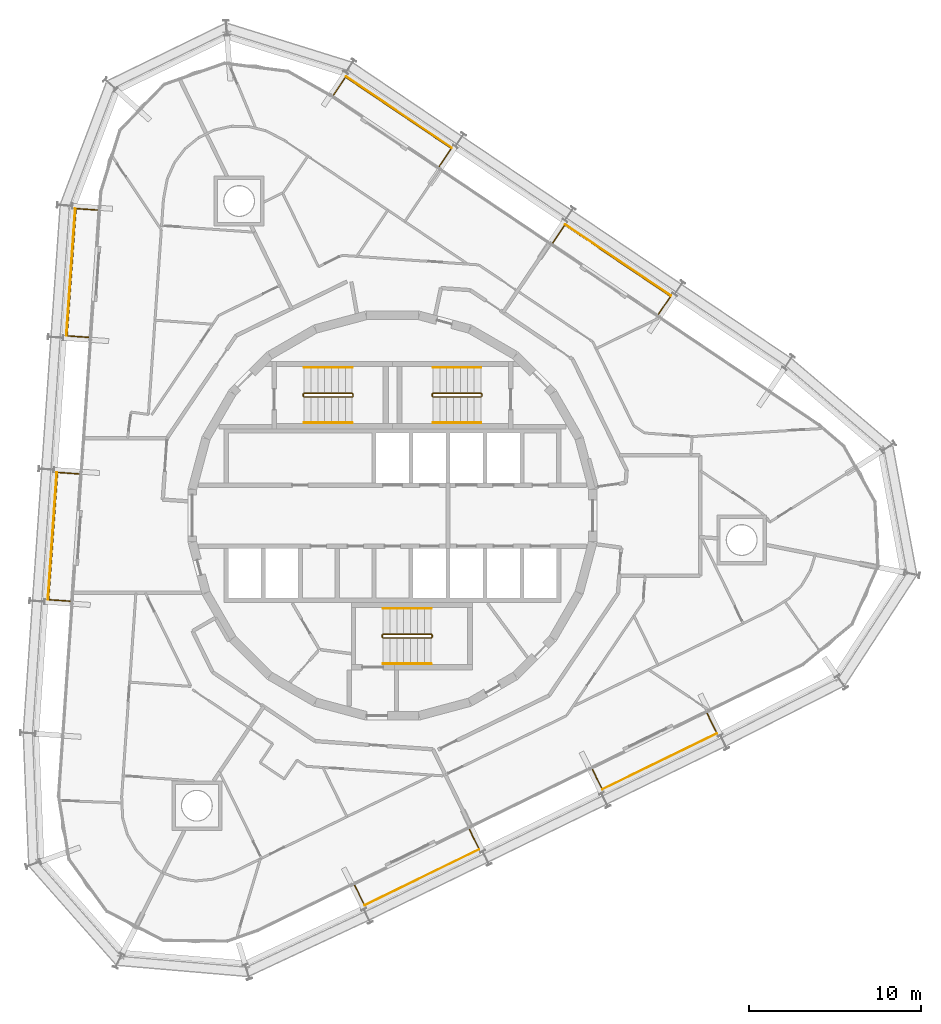
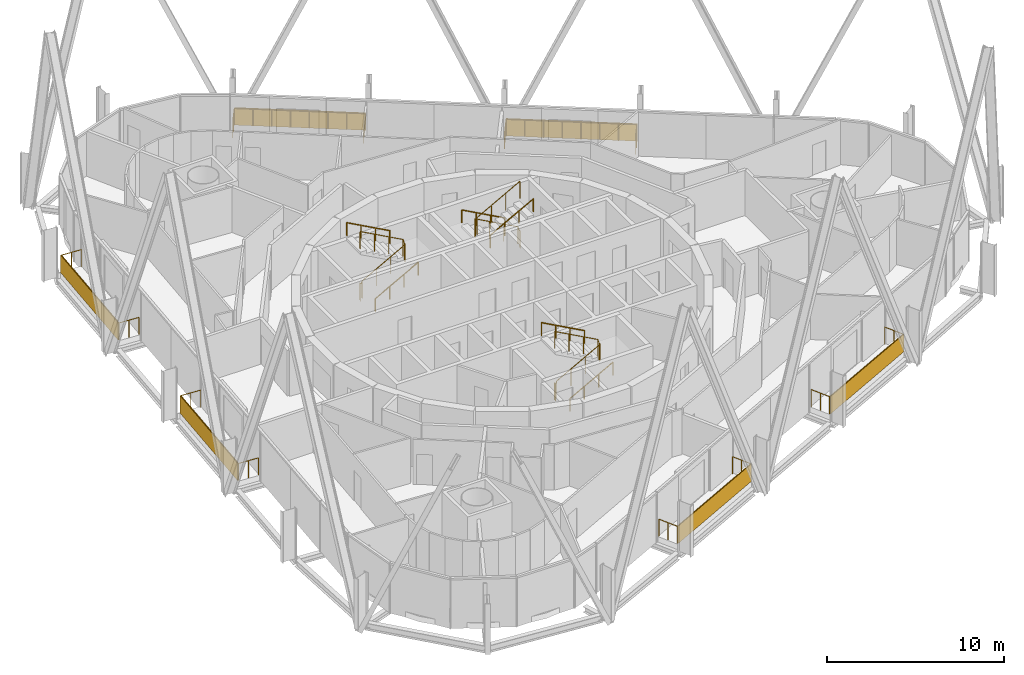
# One storey, part 18 of 18: 15 railings, 6 shading devices.
"""IFC4 building model written with IfcOpenShell, lengths in metres."""

from ifc_helpers import new_model, si_unit, direction, frame, origin, origin_2d, place, context, subcontext, project, spatial, rectangle, circle, extrude, material, layer, layer_set, type_object, element, save


model = new_model("IFC4")

# Units and contexts
model_context = context("Model", 3, precision=1e-05, world=origin(), true_north=direction((0.0, 1.0)))
body_context = subcontext(model_context, "Body", "Model", "MODEL_VIEW")
ifc_project = project(units=[si_unit("LENGTHUNIT", "METRE"), si_unit("AREAUNIT", "SQUARE_METRE"), si_unit("VOLUMEUNIT", "CUBIC_METRE"), si_unit("PLANEANGLEUNIT", "RADIAN"), si_unit("MASSUNIT", "GRAM", prefix="KILO")], contexts=[model_context])

# Site, building, storey
site_placement = place(None, origin())
site = spatial("IfcSite", under=ifc_project, at=site_placement, CompositionType="ELEMENT")
building_placement = place(site_placement, origin())
building = spatial("IfcBuilding", under=site, at=building_placement, Name="Spindle Arch Residences", CompositionType="ELEMENT")
storey_placement = place(building_placement, frame((0.0, 0.0, 202.39990234375)))
storey = spatial("IfcBuildingStorey", under=building, at=storey_placement, Name="L51", CompositionType="ELEMENT", Elevation=202.39990234375)

# Railings
ifc_material_1 = material(Name="Bronze anodised aluminium guard with glass infill", Category="aluminium")
railing_type_1 = type_object("IfcRailingType", Name="Balcony guard 1200", PredefinedType="GUARDRAIL", material=ifc_material_1)
railing_1_placement = place(storey_placement, frame((11.632080078125, -14.76611328125, 0.0)))
element("IfcRailing", 1, at=railing_1_placement, inside=storey, type_object=railing_type_1, Name="Guard L51 bay 1", PredefinedType="GUARDRAIL", context=body_context, shape_type="SweptSolid", body=[
    extrude(circle(Radius=0.02392578125, at=origin_2d()), frame((0.0, 0.0, 1.17578125), z_axis=(0.438362050684, -0.898798482709, 0.0), x_axis=(0.898798482709, 0.438362050684, 0.0)), (0.0, 0.0, 1.0), 1.249755859375),
    extrude(circle(Radius=0.02392578125, at=origin_2d()), frame((0.5478515625, -1.123291015625, 1.17578125), z_axis=(0.898809845561, 0.438338752021, 0.0), x_axis=(-0.438338752021, 0.898809845561, 0.0)), (0.0, 0.0, 1.0), 7.423828125),
    extrude(circle(Radius=0.02392578125, at=origin_2d()), frame((7.220458984375, 2.130859375, 1.17578125), z_axis=(-0.438442870742, 0.898759060647, 0.0), x_axis=(-0.898759060647, -0.438442870742, 0.0)), (0.0, 0.0, 1.0), 1.25),
    extrude(circle(Radius=0.02099609375, at=origin_2d()), origin(), (0.0, 0.0, 1.0), 1.15185546875),
    extrude(circle(Radius=0.02099609375, at=origin_2d()), frame((0.27392578125, -0.5615234375, 0.0)), (0.0, 0.0, 1.0), 1.15185546875),
    extrude(circle(Radius=0.02099609375, at=origin_2d()), frame((0.5478515625, -1.123291015625, 0.0)), (0.0, 0.0, 1.0), 1.15185546875),
    extrude(circle(Radius=0.02099609375, at=origin_2d()), frame((1.5009765625, -0.658447265625, 0.0)), (0.0, 0.0, 1.0), 1.15185546875),
    extrude(circle(Radius=0.02099609375, at=origin_2d()), frame((2.454345703125, -0.193603515625, 0.0)), (0.0, 0.0, 1.0), 1.15185546875),
    extrude(circle(Radius=0.02099609375, at=origin_2d()), frame((3.407470703125, 0.271240234375, 0.0)), (0.0, 0.0, 1.0), 1.15185546875),
    extrude(circle(Radius=0.02099609375, at=origin_2d()), frame((4.36083984375, 0.736328125, 0.0)), (0.0, 0.0, 1.0), 1.15185546875),
    extrude(circle(Radius=0.02099609375, at=origin_2d()), frame((5.31396484375, 1.201171875, 0.0)), (0.0, 0.0, 1.0), 1.15185546875),
    extrude(circle(Radius=0.02099609375, at=origin_2d()), frame((6.267333984375, 1.666015625, 0.0)), (0.0, 0.0, 1.0), 1.15185546875),
    extrude(circle(Radius=0.02099609375, at=origin_2d()), frame((7.220458984375, 2.130859375, 0.0)), (0.0, 0.0, 1.0), 1.15185546875),
    extrude(circle(Radius=0.02099609375, at=origin_2d()), frame((6.9462890625, 2.692626953125, 0.0)), (0.0, 0.0, 1.0), 1.15185546875),
    extrude(circle(Radius=0.02099609375, at=origin_2d()), frame((6.67236328125, 3.25439453125, 0.0)), (0.0, 0.0, 1.0), 1.15185546875),
])
railing_2_placement = place(storey_placement, frame((15.47607421875, 11.72021484375, 0.0)))
element("IfcRailing", 2, at=railing_2_placement, inside=storey, type_object=railing_type_1, Name="Guard L51 bay 7", PredefinedType="GUARDRAIL", context=body_context, shape_type="SweptSolid", body=[
    extrude(circle(Radius=0.02392578125, at=origin_2d()), frame((0.0, 0.0, 1.17578125), z_axis=(0.559288375298, 0.828973167996, 0.0), x_axis=(-0.828973167996, 0.559288375298, 0.0)), (0.0, 0.0, 1.0), 1.250244140625),
    extrude(circle(Radius=0.02392578125, at=origin_2d()), frame((0.69921875, 1.036376953125, 1.17578125), z_axis=(-0.829032773144, 0.559200018824, 0.0), x_axis=(-0.559200018824, -0.829032773144, 0.0)), (0.0, 0.0, 1.0), 7.423828125),
    extrude(circle(Radius=0.02392578125, at=origin_2d()), frame((-5.455322265625, 5.187744140625, 1.17578125), z_axis=(-0.559154156027, -0.829063706718, 0.0), x_axis=(0.829063706718, -0.559154156027, 0.0)), (0.0, 0.0, 1.0), 1.25),
    extrude(circle(Radius=0.02099609375, at=origin_2d()), origin(), (0.0, 0.0, 1.0), 1.15185546875),
    extrude(circle(Radius=0.02099609375, at=origin_2d()), frame((0.349609375, 0.51806640625, 0.0)), (0.0, 0.0, 1.0), 1.15185546875),
    extrude(circle(Radius=0.02099609375, at=origin_2d()), frame((0.69921875, 1.036376953125, 0.0)), (0.0, 0.0, 1.0), 1.15185546875),
    extrude(circle(Radius=0.02099609375, at=origin_2d()), frame((-0.179931640625, 1.62939453125, 0.0)), (0.0, 0.0, 1.0), 1.15185546875),
    extrude(circle(Radius=0.02099609375, at=origin_2d()), frame((-1.059326171875, 2.222412109375, 0.0)), (0.0, 0.0, 1.0), 1.15185546875),
    extrude(circle(Radius=0.02099609375, at=origin_2d()), frame((-1.9384765625, 2.8154296875, 0.0)), (0.0, 0.0, 1.0), 1.15185546875),
    extrude(circle(Radius=0.02099609375, at=origin_2d()), frame((-2.817626953125, 3.40869140625, 0.0)), (0.0, 0.0, 1.0), 1.15185546875),
    extrude(circle(Radius=0.02099609375, at=origin_2d()), frame((-3.69677734375, 4.001708984375, 0.0)), (0.0, 0.0, 1.0), 1.15185546875),
    extrude(circle(Radius=0.02099609375, at=origin_2d()), frame((-4.576171875, 4.5947265625, 0.0)), (0.0, 0.0, 1.0), 1.15185546875),
    extrude(circle(Radius=0.02099609375, at=origin_2d()), frame((-5.455322265625, 5.187744140625, 0.0)), (0.0, 0.0, 1.0), 1.15185546875),
    extrude(circle(Radius=0.02099609375, at=origin_2d()), frame((-5.8046875, 4.66943359375, 0.0)), (0.0, 0.0, 1.0), 1.15185546875),
    extrude(circle(Radius=0.02099609375, at=origin_2d()), frame((-6.154296875, 4.1513671875, 0.0)), (0.0, 0.0, 1.0), 1.15185546875),
])
railing_3_placement = place(storey_placement, frame((2.719482421875, 20.324951171875, 0.0)))
element("IfcRailing", 3, at=railing_3_placement, inside=storey, type_object=railing_type_1, Name="Guard L51 bay 9", PredefinedType="GUARDRAIL", context=body_context, shape_type="SweptSolid", body=[
    extrude(circle(Radius=0.02392578125, at=origin_2d()), frame((0.0, 0.0, 1.17578125), z_axis=(0.559244705098, 0.829002629562, 0.0), x_axis=(-0.829002629562, 0.559244705098, 0.0)), (0.0, 0.0, 1.0), 1.249755859375),
    extrude(circle(Radius=0.02392578125, at=origin_2d()), frame((0.698974609375, 1.0361328125, 1.17578125), z_axis=(-0.829032773144, 0.559200018824, 0.0), x_axis=(-0.559200018824, -0.829032773144, 0.0)), (0.0, 0.0, 1.0), 7.423828125),
    extrude(circle(Radius=0.02392578125, at=origin_2d()), frame((-5.45556640625, 5.1875, 1.17578125), z_axis=(-0.559154156027, -0.829063706718, 0.0), x_axis=(0.829063706718, -0.559154156027, 0.0)), (0.0, 0.0, 1.0), 1.25),
    extrude(circle(Radius=0.02099609375, at=origin_2d()), origin(), (0.0, 0.0, 1.0), 1.15185546875),
    extrude(circle(Radius=0.02099609375, at=origin_2d()), frame((0.349609375, 0.51806640625, 0.0)), (0.0, 0.0, 1.0), 1.15185546875),
    extrude(circle(Radius=0.02099609375, at=origin_2d()), frame((0.698974609375, 1.0361328125, 0.0)), (0.0, 0.0, 1.0), 1.15185546875),
    extrude(circle(Radius=0.02099609375, at=origin_2d()), frame((-0.18017578125, 1.629150390625, 0.0)), (0.0, 0.0, 1.0), 1.15185546875),
    extrude(circle(Radius=0.02099609375, at=origin_2d()), frame((-1.0595703125, 2.22216796875, 0.0)), (0.0, 0.0, 1.0), 1.15185546875),
    extrude(circle(Radius=0.02099609375, at=origin_2d()), frame((-1.938720703125, 2.815185546875, 0.0)), (0.0, 0.0, 1.0), 1.15185546875),
    extrude(circle(Radius=0.02099609375, at=origin_2d()), frame((-2.81787109375, 3.408447265625, 0.0)), (0.0, 0.0, 1.0), 1.15185546875),
    extrude(circle(Radius=0.02099609375, at=origin_2d()), frame((-3.697021484375, 4.00146484375, 0.0)), (0.0, 0.0, 1.0), 1.15185546875),
    extrude(circle(Radius=0.02099609375, at=origin_2d()), frame((-4.576416015625, 4.594482421875, 0.0)), (0.0, 0.0, 1.0), 1.15185546875),
    extrude(circle(Radius=0.02099609375, at=origin_2d()), frame((-5.45556640625, 5.1875, 0.0)), (0.0, 0.0, 1.0), 1.15185546875),
    extrude(circle(Radius=0.02099609375, at=origin_2d()), frame((-5.80517578125, 4.66943359375, 0.0)), (0.0, 0.0, 1.0), 1.15185546875),
    extrude(circle(Radius=0.02099609375, at=origin_2d()), frame((-6.154541015625, 4.151123046875, 0.0)), (0.0, 0.0, 1.0), 1.15185546875),
])
railing_4_placement = place(storey_placement, frame((-17.172607421875, 17.77587890625, 0.0)))
element("IfcRailing", 4, at=railing_4_placement, inside=storey, type_object=railing_type_1, Name="Guard L51 bay 13", PredefinedType="GUARDRAIL", context=body_context, shape_type="SweptSolid", body=[
    extrude(circle(Radius=0.02392578125, at=origin_2d()), frame((0.0, 0.0, 1.17578125), z_axis=(-0.997566579437, 0.069720295391, 0.0), x_axis=(-0.069720295391, -0.997566579437, 0.0)), (0.0, 0.0, 1.0), 1.25),
    extrude(circle(Radius=0.02392578125, at=origin_2d()), frame((-1.2470703125, 0.087158203125, 1.17578125), z_axis=(-0.069753528744, -0.99756425619, 0.0), x_axis=(0.99756425619, -0.069753528744, 0.0)), (0.0, 0.0, 1.0), 7.423583984375),
    extrude(circle(Radius=0.02392578125, at=origin_2d()), frame((-1.764892578125, -7.318359375, 1.17578125), z_axis=(0.997566579437, -0.069720295391, 0.0), x_axis=(0.069720295391, 0.997566579437, 0.0)), (0.0, 0.0, 1.0), 1.25),
    extrude(circle(Radius=0.02099609375, at=origin_2d()), origin(), (0.0, 0.0, 1.0), 1.15185546875),
    extrude(circle(Radius=0.02099609375, at=origin_2d()), frame((-0.62353515625, 0.04345703125, 0.0)), (0.0, 0.0, 1.0), 1.15185546875),
    extrude(circle(Radius=0.02099609375, at=origin_2d()), frame((-1.2470703125, 0.087158203125, 0.0)), (0.0, 0.0, 1.0), 1.15185546875),
    extrude(circle(Radius=0.02099609375, at=origin_2d()), frame((-1.321044921875, -0.970703125, 0.0)), (0.0, 0.0, 1.0), 1.15185546875),
    extrude(circle(Radius=0.02099609375, at=origin_2d()), frame((-1.39501953125, -2.02880859375, 0.0)), (0.0, 0.0, 1.0), 1.15185546875),
    extrude(circle(Radius=0.02099609375, at=origin_2d()), frame((-1.468994140625, -3.086669921875, 0.0)), (0.0, 0.0, 1.0), 1.15185546875),
    extrude(circle(Radius=0.02099609375, at=origin_2d()), frame((-1.54296875, -4.14453125, 0.0)), (0.0, 0.0, 1.0), 1.15185546875),
    extrude(circle(Radius=0.02099609375, at=origin_2d()), frame((-1.616943359375, -5.202392578125, 0.0)), (0.0, 0.0, 1.0), 1.15185546875),
    extrude(circle(Radius=0.02099609375, at=origin_2d()), frame((-1.69091796875, -6.260498046875, 0.0)), (0.0, 0.0, 1.0), 1.15185546875),
    extrude(circle(Radius=0.02099609375, at=origin_2d()), frame((-1.764892578125, -7.318359375, 0.0)), (0.0, 0.0, 1.0), 1.15185546875),
    extrude(circle(Radius=0.02099609375, at=origin_2d()), frame((-1.141357421875, -7.36181640625, 0.0)), (0.0, 0.0, 1.0), 1.15185546875),
    extrude(circle(Radius=0.02099609375, at=origin_2d()), frame((-0.517822265625, -7.405517578125, 0.0)), (0.0, 0.0, 1.0), 1.15185546875),
])
railing_5_placement = place(storey_placement, frame((-18.24609375, 2.426025390625, 0.0)))
element("IfcRailing", 5, at=railing_5_placement, inside=storey, type_object=railing_type_1, Name="Guard L51 bay 15", PredefinedType="GUARDRAIL", context=body_context, shape_type="SweptSolid", body=[
    extrude(circle(Radius=0.02392578125, at=origin_2d()), frame((0.0, 0.0, 1.17578125), z_axis=(-0.997565629847, 0.069733880919, 0.0), x_axis=(-0.069733880919, -0.997565629847, 0.0)), (0.0, 0.0, 1.0), 1.249755859375),
    extrude(circle(Radius=0.02392578125, at=origin_2d()), frame((-1.246826171875, 0.087158203125, 1.17578125), z_axis=(-0.069751240415, -0.997564416196, 0.0), x_axis=(0.997564416196, -0.069751240415, 0.0)), (0.0, 0.0, 1.0), 7.423828125),
    extrude(circle(Radius=0.02392578125, at=origin_2d()), frame((-1.7646484375, -7.318603515625, 1.17578125), z_axis=(0.997565629847, -0.069733880919, 0.0), x_axis=(0.069733880919, 0.997565629847, 0.0)), (0.0, 0.0, 1.0), 1.249755859375),
    extrude(circle(Radius=0.02099609375, at=origin_2d()), origin(), (0.0, 0.0, 1.0), 1.15185546875),
    extrude(circle(Radius=0.02099609375, at=origin_2d()), frame((-0.62353515625, 0.04345703125, 0.0)), (0.0, 0.0, 1.0), 1.15185546875),
    extrude(circle(Radius=0.02099609375, at=origin_2d()), frame((-1.246826171875, 0.087158203125, 0.0)), (0.0, 0.0, 1.0), 1.15185546875),
    extrude(circle(Radius=0.02099609375, at=origin_2d()), frame((-1.32080078125, -0.970703125, 0.0)), (0.0, 0.0, 1.0), 1.15185546875),
    extrude(circle(Radius=0.02099609375, at=origin_2d()), frame((-1.394775390625, -2.02880859375, 0.0)), (0.0, 0.0, 1.0), 1.15185546875),
    extrude(circle(Radius=0.02099609375, at=origin_2d()), frame((-1.46875, -3.086669921875, 0.0)), (0.0, 0.0, 1.0), 1.15185546875),
    extrude(circle(Radius=0.02099609375, at=origin_2d()), frame((-1.542724609375, -4.144775390625, 0.0)), (0.0, 0.0, 1.0), 1.15185546875),
    extrude(circle(Radius=0.02099609375, at=origin_2d()), frame((-1.61669921875, -5.20263671875, 0.0)), (0.0, 0.0, 1.0), 1.15185546875),
    extrude(circle(Radius=0.02099609375, at=origin_2d()), frame((-1.690673828125, -6.2607421875, 0.0)), (0.0, 0.0, 1.0), 1.15185546875),
    extrude(circle(Radius=0.02099609375, at=origin_2d()), frame((-1.7646484375, -7.318603515625, 0.0)), (0.0, 0.0, 1.0), 1.15185546875),
    extrude(circle(Radius=0.02099609375, at=origin_2d()), frame((-1.14111328125, -7.3623046875, 0.0)), (0.0, 0.0, 1.0), 1.15185546875),
    extrude(circle(Radius=0.02099609375, at=origin_2d()), frame((-0.517822265625, -7.40576171875, 0.0)), (0.0, 0.0, 1.0), 1.15185546875),
])
railing_6_placement = place(storey_placement, frame((-2.197998046875, -21.511474609375, 0.0)))
element("IfcRailing", 6, at=railing_6_placement, inside=storey, type_object=railing_type_1, Name="Guard L51 bay 21", PredefinedType="GUARDRAIL", context=body_context, shape_type="SweptSolid", body=[
    extrude(circle(Radius=0.02392578125, at=origin_2d()), frame((0.0, 0.0, 1.17578125), z_axis=(0.438285095444, -0.898836011245, 0.0), x_axis=(0.898836011245, 0.438285095444, 0.0)), (0.0, 0.0, 1.0), 1.25),
    extrude(circle(Radius=0.02392578125, at=origin_2d()), frame((0.5478515625, -1.12353515625, 1.17578125), z_axis=(0.898790569069, 0.438378276096, 0.0), x_axis=(-0.438378276096, 0.898790569069, 0.0)), (0.0, 0.0, 1.0), 7.423828125),
    extrude(circle(Radius=0.02392578125, at=origin_2d()), frame((7.22021484375, 2.130859375, 1.17578125), z_axis=(-0.438285095444, 0.898836011245, 0.0), x_axis=(-0.898836011245, -0.438285095444, 0.0)), (0.0, 0.0, 1.0), 1.25),
    extrude(circle(Radius=0.02099609375, at=origin_2d()), origin(), (0.0, 0.0, 1.0), 1.15185546875),
    extrude(circle(Radius=0.02099609375, at=origin_2d()), frame((0.27392578125, -0.561767578125, 0.0)), (0.0, 0.0, 1.0), 1.15185546875),
    extrude(circle(Radius=0.02099609375, at=origin_2d()), frame((0.5478515625, -1.12353515625, 0.0)), (0.0, 0.0, 1.0), 1.15185546875),
    extrude(circle(Radius=0.02099609375, at=origin_2d()), frame((1.5009765625, -0.65869140625, 0.0)), (0.0, 0.0, 1.0), 1.15185546875),
    extrude(circle(Radius=0.02099609375, at=origin_2d()), frame((2.454345703125, -0.193603515625, 0.0)), (0.0, 0.0, 1.0), 1.15185546875),
    extrude(circle(Radius=0.02099609375, at=origin_2d()), frame((3.407470703125, 0.271240234375, 0.0)), (0.0, 0.0, 1.0), 1.15185546875),
    extrude(circle(Radius=0.02099609375, at=origin_2d()), frame((4.360595703125, 0.736083984375, 0.0)), (0.0, 0.0, 1.0), 1.15185546875),
    extrude(circle(Radius=0.02099609375, at=origin_2d()), frame((5.313720703125, 1.200927734375, 0.0)), (0.0, 0.0, 1.0), 1.15185546875),
    extrude(circle(Radius=0.02099609375, at=origin_2d()), frame((6.26708984375, 1.666015625, 0.0)), (0.0, 0.0, 1.0), 1.15185546875),
    extrude(circle(Radius=0.02099609375, at=origin_2d()), frame((7.22021484375, 2.130859375, 0.0)), (0.0, 0.0, 1.0), 1.15185546875),
    extrude(circle(Radius=0.02099609375, at=origin_2d()), frame((6.9462890625, 2.692626953125, 0.0)), (0.0, 0.0, 1.0), 1.15185546875),
    extrude(circle(Radius=0.02099609375, at=origin_2d()), frame((6.67236328125, 3.25439453125, 0.0)), (0.0, 0.0, 1.0), 1.15185546875),
])

# Shading devices
ifc_material_2 = material(Name="Bronze perforated cobogo screen")
ifc_layer = layer(ifc_material_2, 0.0390625)
ifc_layer_set = layer_set([ifc_layer], Name="Cobogo screen 1200")
shading_device_type = type_object("IfcShadingDeviceType", Name="Cobogo screen 1200", PredefinedType="USERDEFINED", material=ifc_layer_set)
for number, where, z_axis, x_axis, name in (
    (7, (15.533935546875, -14.298828125, 0.0), (0.0, 0.0, 1.0), (0.898794046299, 0.438371146789, 0.0), "Cobogo screen L51 bay 1"),
    (8, (13.12060546875, 14.86572265625, 0.0), (0.0, 0.0, 1.0), (-0.829037572555, 0.559192903471, 0.0), "Cobogo screen L51 bay 7"),
    (9, (0.36376953125, 23.470458984375, 0.0), (0.0, 0.0, 1.0), (-0.829037572555, 0.559192903471, 0.0), "Cobogo screen L51 bay 9"),
    (10, (-18.718994140625, 14.1630859375, 0.0), (0.0, 0.0, 1.0), (-0.069756473744, -0.99756405026, 0.0), "Cobogo screen L51 bay 13"),
    (11, (-19.792236328125, -1.186767578125, 0.0), (0.0, 0.0, 1.0), (-0.069756473744, -0.99756405026, 0.0), "Cobogo screen L51 bay 15"),
    (12, (1.703857421875, -21.044189453125, 0.0), (0.0, 0.0, 1.0), (0.898794046299, 0.438371146789, 0.0), "Cobogo screen L51 bay 21"),
):
    element("IfcShadingDevice", number, at=place(storey_placement, frame(where, z_axis=z_axis, x_axis=x_axis)), inside=storey, type_object=shading_device_type, Name=name, ObjectType="SCREEN", PredefinedType="USERDEFINED", context=body_context, shape_type="SweptSolid", body=[
        extrude(rectangle(XDim=7.423828125, YDim=0.0390625, at=origin_2d()), origin(), (0.0, 0.0, 1.0), 1.199951171875),
    ])

# Railings
ifc_material_3 = material(Name="Steel, painted", Category="steel")
railing_type_2 = type_object("IfcRailingType", Name="Stair guard 1100", PredefinedType="GUARDRAIL", material=ifc_material_3)
railing_7_placement = place(storey_placement, frame((5.14990234375, 6.89990234375, 3.5)))
element("IfcRailing", 13, at=railing_7_placement, inside=storey, type_object=railing_type_2, Name="L51 ST1 stair guard 1", PredefinedType="GUARDRAIL", context=body_context, shape_type="SweptSolid", body=[
    extrude(circle(Radius=0.02392578125, at=origin_2d()), frame((0.0, 0.0, 1.17578125), z_axis=(-0.877357048833, 0.0, -0.479838106931), x_axis=(0.0, -1.0, 0.0)), (0.0, 0.0, 1.0), 3.191162109375),
    extrude(circle(Radius=0.02392578125, at=origin_2d()), frame((-2.7998046875, 0.0, -0.35546875), z_axis=(-0.217683172539, 0.217683172539, -0.951434744366), x_axis=(-0.707106781187, -0.707106781187, 0.0)), (0.0, 0.0, 1.0), 0.22998046875),
    extrude(circle(Radius=0.02392578125, at=origin_2d()), frame((-2.849853515625, 0.050048828125, -0.57421875), z_axis=(0.0, 1.0, 0.0), x_axis=(-1.0, 0.0, 0.0)), (0.0, 0.0, 1.0), 0.1201171875),
    extrude(circle(Radius=0.02392578125, at=origin_2d()), frame((-2.849853515625, 0.170166015625, -0.57421875), z_axis=(0.707106781187, 0.707106781187, 0.0), x_axis=(-0.707106781187, 0.707106781187, 0.0)), (0.0, 0.0, 1.0), 0.07080078125),
    extrude(circle(Radius=0.02392578125, at=origin_2d()), frame((-2.7998046875, 0.22021484375, -0.57421875), z_axis=(0.877357048833, 0.0, -0.479838106931), x_axis=(0.0, 1.0, 0.0)), (0.0, 0.0, 1.0), 3.191162109375),
    extrude(circle(Radius=0.02392578125, at=origin_2d()), frame((0.0, 0.22021484375, -2.10546875), z_axis=(0.217683172539, -0.217683172539, -0.951434744366), x_axis=(0.707106781187, 0.707106781187, 0.0)), (0.0, 0.0, 1.0), 0.22998046875),
    extrude(circle(Radius=0.02392578125, at=origin_2d()), frame((0.050048828125, 0.170166015625, -2.32421875), z_axis=(0.0, -1.0, 0.0), x_axis=(1.0, 0.0, 0.0)), (0.0, 0.0, 1.0), 0.1201171875),
    extrude(circle(Radius=0.02099609375, at=origin_2d()), origin(), (0.0, 0.0, 1.0), 1.15185546875),
    extrude(circle(Radius=0.02099609375, at=origin_2d()), frame((-0.933349609375, 0.0, -0.510498046875)), (0.0, 0.0, 1.0), 1.15185546875),
    extrude(circle(Radius=0.02099609375, at=origin_2d()), frame((-1.866455078125, 0.0, -1.020751953125)), (0.0, 0.0, 1.0), 1.15185546875),
    extrude(circle(Radius=0.02099609375, at=origin_2d()), frame((-2.7998046875, 0.0, -1.53125)), (0.0, 0.0, 1.0), 1.15185546875),
    extrude(circle(Radius=0.02099609375, at=origin_2d()), frame((-2.849853515625, 0.050048828125, -1.75)), (0.0, 0.0, 1.0), 1.15185546875),
    extrude(circle(Radius=0.02099609375, at=origin_2d()), frame((-2.849853515625, 0.170166015625, -1.75)), (0.0, 0.0, 1.0), 1.15185546875),
    extrude(circle(Radius=0.02099609375, at=origin_2d()), frame((-2.7998046875, 0.22021484375, -1.75)), (0.0, 0.0, 1.0), 1.15185546875),
    extrude(circle(Radius=0.02099609375, at=origin_2d()), frame((-1.866455078125, 0.22021484375, -2.260498046875)), (0.0, 0.0, 1.0), 1.15185546875),
    extrude(circle(Radius=0.02099609375, at=origin_2d()), frame((-0.933349609375, 0.22021484375, -2.770751953125)), (0.0, 0.0, 1.0), 1.15185546875),
    extrude(circle(Radius=0.02099609375, at=origin_2d()), frame((0.0, 0.22021484375, -3.28125)), (0.0, 0.0, 1.0), 1.15185546875),
    extrude(circle(Radius=0.02099609375, at=origin_2d()), frame((0.050048828125, 0.170166015625, -3.5)), (0.0, 0.0, 1.0), 1.15185546875),
    extrude(circle(Radius=0.02099609375, at=origin_2d()), frame((0.050048828125, 0.050048828125, -3.5)), (0.0, 0.0, 1.0), 1.15185546875),
])
railing_8_placement = place(storey_placement, frame((-5.14990234375, 7.1201171875, 3.5)))
element("IfcRailing", 14, at=railing_8_placement, inside=storey, type_object=railing_type_2, Name="L51 ST2 stair guard 1", PredefinedType="GUARDRAIL", context=body_context, shape_type="SweptSolid", body=[
    extrude(circle(Radius=0.02392578125, at=origin_2d()), frame((0.0, 0.0, 1.17578125), z_axis=(0.877357048833, 0.0, -0.479838106931), x_axis=(0.0, 1.0, 0.0)), (0.0, 0.0, 1.0), 3.191162109375),
    extrude(circle(Radius=0.02392578125, at=origin_2d()), frame((2.7998046875, 0.0, -0.35546875), z_axis=(0.217683172539, -0.217683172539, -0.951434744366), x_axis=(0.707106781187, 0.707106781187, 0.0)), (0.0, 0.0, 1.0), 0.22998046875),
    extrude(circle(Radius=0.02392578125, at=origin_2d()), frame((2.849853515625, -0.050048828125, -0.57421875), z_axis=(0.0, -1.0, 0.0), x_axis=(1.0, 0.0, 0.0)), (0.0, 0.0, 1.0), 0.1201171875),
    extrude(circle(Radius=0.02392578125, at=origin_2d()), frame((2.849853515625, -0.170166015625, -0.57421875), z_axis=(-0.707106781187, -0.707106781187, 0.0), x_axis=(0.707106781187, -0.707106781187, 0.0)), (0.0, 0.0, 1.0), 0.07080078125),
    extrude(circle(Radius=0.02392578125, at=origin_2d()), frame((2.7998046875, -0.22021484375, -0.57421875), z_axis=(-0.877357048833, 0.0, -0.479838106931), x_axis=(0.0, -1.0, 0.0)), (0.0, 0.0, 1.0), 3.191162109375),
    extrude(circle(Radius=0.02392578125, at=origin_2d()), frame((0.0, -0.22021484375, -2.10546875), z_axis=(-0.217683172539, 0.217683172539, -0.951434744366), x_axis=(-0.707106781187, -0.707106781187, 0.0)), (0.0, 0.0, 1.0), 0.22998046875),
    extrude(circle(Radius=0.02392578125, at=origin_2d()), frame((-0.050048828125, -0.170166015625, -2.32421875), z_axis=(0.0, 1.0, 0.0), x_axis=(-1.0, 0.0, 0.0)), (0.0, 0.0, 1.0), 0.1201171875),
    extrude(circle(Radius=0.02099609375, at=origin_2d()), origin(), (0.0, 0.0, 1.0), 1.15185546875),
    extrude(circle(Radius=0.02099609375, at=origin_2d()), frame((0.933349609375, 0.0, -0.510498046875)), (0.0, 0.0, 1.0), 1.15185546875),
    extrude(circle(Radius=0.02099609375, at=origin_2d()), frame((1.866455078125, 0.0, -1.020751953125)), (0.0, 0.0, 1.0), 1.15185546875),
    extrude(circle(Radius=0.02099609375, at=origin_2d()), frame((2.7998046875, 0.0, -1.53125)), (0.0, 0.0, 1.0), 1.15185546875),
    extrude(circle(Radius=0.02099609375, at=origin_2d()), frame((2.849853515625, -0.050048828125, -1.75)), (0.0, 0.0, 1.0), 1.15185546875),
    extrude(circle(Radius=0.02099609375, at=origin_2d()), frame((2.849853515625, -0.170166015625, -1.75)), (0.0, 0.0, 1.0), 1.15185546875),
    extrude(circle(Radius=0.02099609375, at=origin_2d()), frame((2.7998046875, -0.22021484375, -1.75)), (0.0, 0.0, 1.0), 1.15185546875),
    extrude(circle(Radius=0.02099609375, at=origin_2d()), frame((1.866455078125, -0.22021484375, -2.260498046875)), (0.0, 0.0, 1.0), 1.15185546875),
    extrude(circle(Radius=0.02099609375, at=origin_2d()), frame((0.933349609375, -0.22021484375, -2.770751953125)), (0.0, 0.0, 1.0), 1.15185546875),
    extrude(circle(Radius=0.02099609375, at=origin_2d()), frame((0.0, -0.22021484375, -3.28125)), (0.0, 0.0, 1.0), 1.15185546875),
    extrude(circle(Radius=0.02099609375, at=origin_2d()), frame((-0.050048828125, -0.170166015625, -3.5)), (0.0, 0.0, 1.0), 1.15185546875),
    extrude(circle(Radius=0.02099609375, at=origin_2d()), frame((-0.050048828125, -0.050048828125, -3.5)), (0.0, 0.0, 1.0), 1.15185546875),
])
railing_9_placement = place(storey_placement, frame((-0.550048828125, -6.89990234375, 3.5)))
element("IfcRailing", 15, at=railing_9_placement, inside=storey, type_object=railing_type_2, Name="L51 ST3 stair guard 1", PredefinedType="GUARDRAIL", context=body_context, shape_type="SweptSolid", body=[
    extrude(circle(Radius=0.02392578125, at=origin_2d()), frame((0.0, 0.0, 1.17578125), z_axis=(0.877374661878, 0.0, -0.479805901063), x_axis=(0.0, 1.0, 0.0)), (0.0, 0.0, 1.0), 3.19140625),
    extrude(circle(Radius=0.02392578125, at=origin_2d()), frame((2.800048828125, 0.0, -0.35546875), z_axis=(0.217683172539, -0.217683172539, -0.951434744366), x_axis=(0.707106781187, 0.707106781187, 0.0)), (0.0, 0.0, 1.0), 0.22998046875),
    extrude(circle(Radius=0.02392578125, at=origin_2d()), frame((2.85009765625, -0.050048828125, -0.57421875), z_axis=(0.0, -1.0, 0.0), x_axis=(1.0, 0.0, 0.0)), (0.0, 0.0, 1.0), 0.1201171875),
    extrude(circle(Radius=0.02392578125, at=origin_2d()), frame((2.85009765625, -0.170166015625, -0.57421875), z_axis=(-0.707106781187, -0.707106781187, 0.0), x_axis=(0.707106781187, -0.707106781187, 0.0)), (0.0, 0.0, 1.0), 0.07080078125),
    extrude(circle(Radius=0.02392578125, at=origin_2d()), frame((2.800048828125, -0.22021484375, -0.57421875), z_axis=(-0.877374661878, 0.0, -0.479805901063), x_axis=(0.0, -1.0, 0.0)), (0.0, 0.0, 1.0), 3.19140625),
    extrude(circle(Radius=0.02392578125, at=origin_2d()), frame((0.0, -0.22021484375, -2.10546875), z_axis=(-0.217683172539, 0.217683172539, -0.951434744366), x_axis=(-0.707106781187, -0.707106781187, 0.0)), (0.0, 0.0, 1.0), 0.22998046875),
    extrude(circle(Radius=0.02392578125, at=origin_2d()), frame((-0.050048828125, -0.170166015625, -2.32421875), z_axis=(0.0, 1.0, 0.0), x_axis=(-1.0, 0.0, 0.0)), (0.0, 0.0, 1.0), 0.1201171875),
    extrude(circle(Radius=0.02099609375, at=origin_2d()), origin(), (0.0, 0.0, 1.0), 1.15185546875),
    extrude(circle(Radius=0.02099609375, at=origin_2d()), frame((0.933349609375, 0.0, -0.510498046875)), (0.0, 0.0, 1.0), 1.15185546875),
    extrude(circle(Radius=0.02099609375, at=origin_2d()), frame((1.86669921875, 0.0, -1.020751953125)), (0.0, 0.0, 1.0), 1.15185546875),
    extrude(circle(Radius=0.02099609375, at=origin_2d()), frame((2.800048828125, 0.0, -1.53125)), (0.0, 0.0, 1.0), 1.15185546875),
    extrude(circle(Radius=0.02099609375, at=origin_2d()), frame((2.85009765625, -0.050048828125, -1.75)), (0.0, 0.0, 1.0), 1.15185546875),
    extrude(circle(Radius=0.02099609375, at=origin_2d()), frame((2.85009765625, -0.170166015625, -1.75)), (0.0, 0.0, 1.0), 1.15185546875),
    extrude(circle(Radius=0.02099609375, at=origin_2d()), frame((2.800048828125, -0.22021484375, -1.75)), (0.0, 0.0, 1.0), 1.15185546875),
    extrude(circle(Radius=0.02099609375, at=origin_2d()), frame((1.86669921875, -0.22021484375, -2.260498046875)), (0.0, 0.0, 1.0), 1.15185546875),
    extrude(circle(Radius=0.02099609375, at=origin_2d()), frame((0.933349609375, -0.22021484375, -2.770751953125)), (0.0, 0.0, 1.0), 1.15185546875),
    extrude(circle(Radius=0.02099609375, at=origin_2d()), frame((0.0, -0.22021484375, -3.28125)), (0.0, 0.0, 1.0), 1.15185546875),
    extrude(circle(Radius=0.02099609375, at=origin_2d()), frame((-0.050048828125, -0.170166015625, -3.5)), (0.0, 0.0, 1.0), 1.15185546875),
    extrude(circle(Radius=0.02099609375, at=origin_2d()), frame((-0.050048828125, -0.050048828125, -3.5)), (0.0, 0.0, 1.0), 1.15185546875),
])
ifc_material_4 = material(Name="Steel, painted", Category="steel")
railing_type_3 = type_object("IfcRailingType", Name="Stair handrail 900", PredefinedType="HANDRAIL", material=ifc_material_4)
railing_10_placement = place(storey_placement, frame((5.14990234375, 8.6201171875, 0.21875)))
element("IfcRailing", 16, at=railing_10_placement, inside=storey, type_object=railing_type_3, Name="L51 ST1 stair handrail 1", PredefinedType="HANDRAIL", context=body_context, shape_type="SweptSolid", body=[
    extrude(circle(Radius=0.02392578125, at=origin_2d()), frame((0.0, 0.0, 0.8759765625), z_axis=(-0.877357048833, 0.0, 0.479838106931), x_axis=(0.0, -1.0, 0.0)), (0.0, 0.0, 1.0), 3.191162109375),
    extrude(circle(Radius=0.02099609375, at=origin_2d()), origin(), (0.0, 0.0, 1.0), 0.851806640625),
    extrude(circle(Radius=0.02099609375, at=origin_2d()), frame((-0.933349609375, 0.0, 0.510498046875)), (0.0, 0.0, 1.0), 0.851806640625),
    extrude(circle(Radius=0.02099609375, at=origin_2d()), frame((-1.866455078125, 0.0, 1.020751953125)), (0.0, 0.0, 1.0), 0.851806640625),
    extrude(circle(Radius=0.02099609375, at=origin_2d()), frame((-2.7998046875, 0.0, 1.53125)), (0.0, 0.0, 1.0), 0.851806640625),
])
for number, where, name in (
    (17, (2.35009765625, 5.39990234375, 1.96875), "L51 ST1 stair handrail 2"),
    (18, (-5.14990234375, 5.39990234375, 0.21875), "L51 ST2 stair handrail 1"),
):
    element("IfcRailing", number, at=place(storey_placement, frame(where)), inside=storey, type_object=railing_type_3, Name=name, PredefinedType="HANDRAIL", context=body_context, shape_type="SweptSolid", body=[
        extrude(circle(Radius=0.02392578125, at=origin_2d()), frame((0.0, 0.0, 0.8759765625), z_axis=(0.877357048833, 0.0, 0.479838106931), x_axis=(0.0, 1.0, 0.0)), (0.0, 0.0, 1.0), 3.191162109375),
        extrude(circle(Radius=0.02099609375, at=origin_2d()), origin(), (0.0, 0.0, 1.0), 0.851806640625),
        extrude(circle(Radius=0.02099609375, at=origin_2d()), frame((0.933349609375, 0.0, 0.510498046875)), (0.0, 0.0, 1.0), 0.851806640625),
        extrude(circle(Radius=0.02099609375, at=origin_2d()), frame((1.866455078125, 0.0, 1.020751953125)), (0.0, 0.0, 1.0), 0.851806640625),
        extrude(circle(Radius=0.02099609375, at=origin_2d()), frame((2.7998046875, 0.0, 1.53125)), (0.0, 0.0, 1.0), 0.851806640625),
    ])
railing_11_placement = place(storey_placement, frame((-2.35009765625, 8.6201171875, 1.96875)))
element("IfcRailing", 19, at=railing_11_placement, inside=storey, type_object=railing_type_3, Name="L51 ST2 stair handrail 2", PredefinedType="HANDRAIL", context=body_context, shape_type="SweptSolid", body=[
    extrude(circle(Radius=0.02392578125, at=origin_2d()), frame((0.0, 0.0, 0.8759765625), z_axis=(-0.877357048833, 0.0, 0.479838106931), x_axis=(0.0, -1.0, 0.0)), (0.0, 0.0, 1.0), 3.191162109375),
    extrude(circle(Radius=0.02099609375, at=origin_2d()), origin(), (0.0, 0.0, 1.0), 0.851806640625),
    extrude(circle(Radius=0.02099609375, at=origin_2d()), frame((-0.933349609375, 0.0, 0.510498046875)), (0.0, 0.0, 1.0), 0.851806640625),
    extrude(circle(Radius=0.02099609375, at=origin_2d()), frame((-1.866455078125, 0.0, 1.020751953125)), (0.0, 0.0, 1.0), 0.851806640625),
    extrude(circle(Radius=0.02099609375, at=origin_2d()), frame((-2.7998046875, 0.0, 1.53125)), (0.0, 0.0, 1.0), 0.851806640625),
])
railing_12_placement = place(storey_placement, frame((-0.550048828125, -8.6201171875, 0.21875)))
element("IfcRailing", 20, at=railing_12_placement, inside=storey, type_object=railing_type_3, Name="L51 ST3 stair handrail 1", PredefinedType="HANDRAIL", context=body_context, shape_type="SweptSolid", body=[
    extrude(circle(Radius=0.02392578125, at=origin_2d()), frame((0.0, 0.0, 0.8759765625), z_axis=(0.877374661878, 0.0, 0.479805901063), x_axis=(0.0, 1.0, 0.0)), (0.0, 0.0, 1.0), 3.19140625),
    extrude(circle(Radius=0.02099609375, at=origin_2d()), origin(), (0.0, 0.0, 1.0), 0.851806640625),
    extrude(circle(Radius=0.02099609375, at=origin_2d()), frame((0.933349609375, 0.0, 0.510498046875)), (0.0, 0.0, 1.0), 0.851806640625),
    extrude(circle(Radius=0.02099609375, at=origin_2d()), frame((1.86669921875, 0.0, 1.020751953125)), (0.0, 0.0, 1.0), 0.851806640625),
    extrude(circle(Radius=0.02099609375, at=origin_2d()), frame((2.800048828125, 0.0, 1.53125)), (0.0, 0.0, 1.0), 0.851806640625),
])
railing_13_placement = place(storey_placement, frame((2.25, -5.39990234375, 1.96875)))
element("IfcRailing", 21, at=railing_13_placement, inside=storey, type_object=railing_type_3, Name="L51 ST3 stair handrail 2", PredefinedType="HANDRAIL", context=body_context, shape_type="SweptSolid", body=[
    extrude(circle(Radius=0.02392578125, at=origin_2d()), frame((0.0, 0.0, 0.8759765625), z_axis=(-0.877374661878, 0.0, 0.479805901063), x_axis=(0.0, -1.0, 0.0)), (0.0, 0.0, 1.0), 3.19140625),
    extrude(circle(Radius=0.02099609375, at=origin_2d()), origin(), (0.0, 0.0, 1.0), 0.851806640625),
    extrude(circle(Radius=0.02099609375, at=origin_2d()), frame((-0.933349609375, 0.0, 0.510498046875)), (0.0, 0.0, 1.0), 0.851806640625),
    extrude(circle(Radius=0.02099609375, at=origin_2d()), frame((-1.86669921875, 0.0, 1.020751953125)), (0.0, 0.0, 1.0), 0.851806640625),
    extrude(circle(Radius=0.02099609375, at=origin_2d()), frame((-2.800048828125, 0.0, 1.53125)), (0.0, 0.0, 1.0), 0.851806640625),
])

save(model, "model.ifc")
